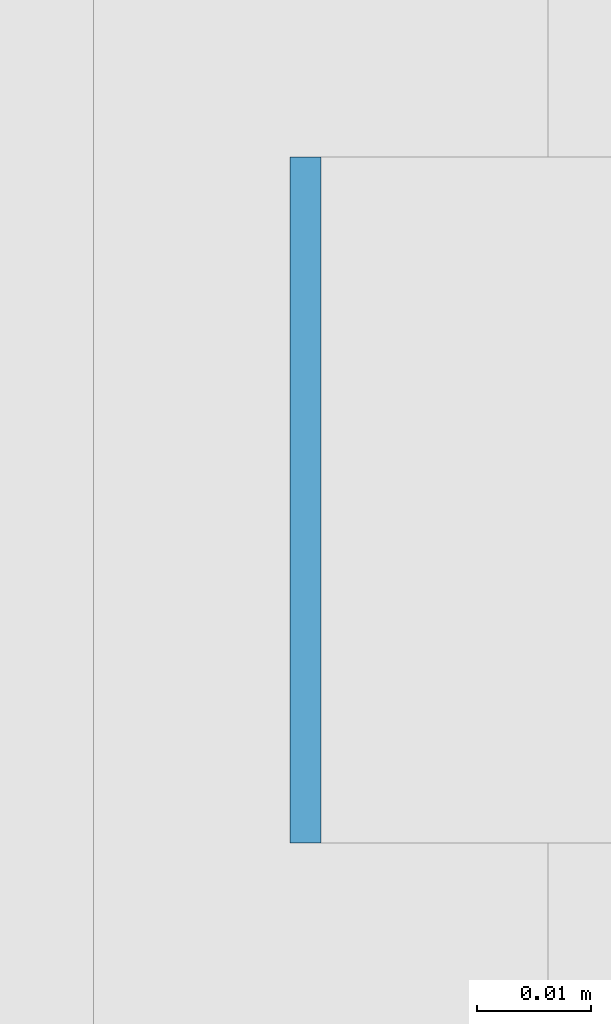
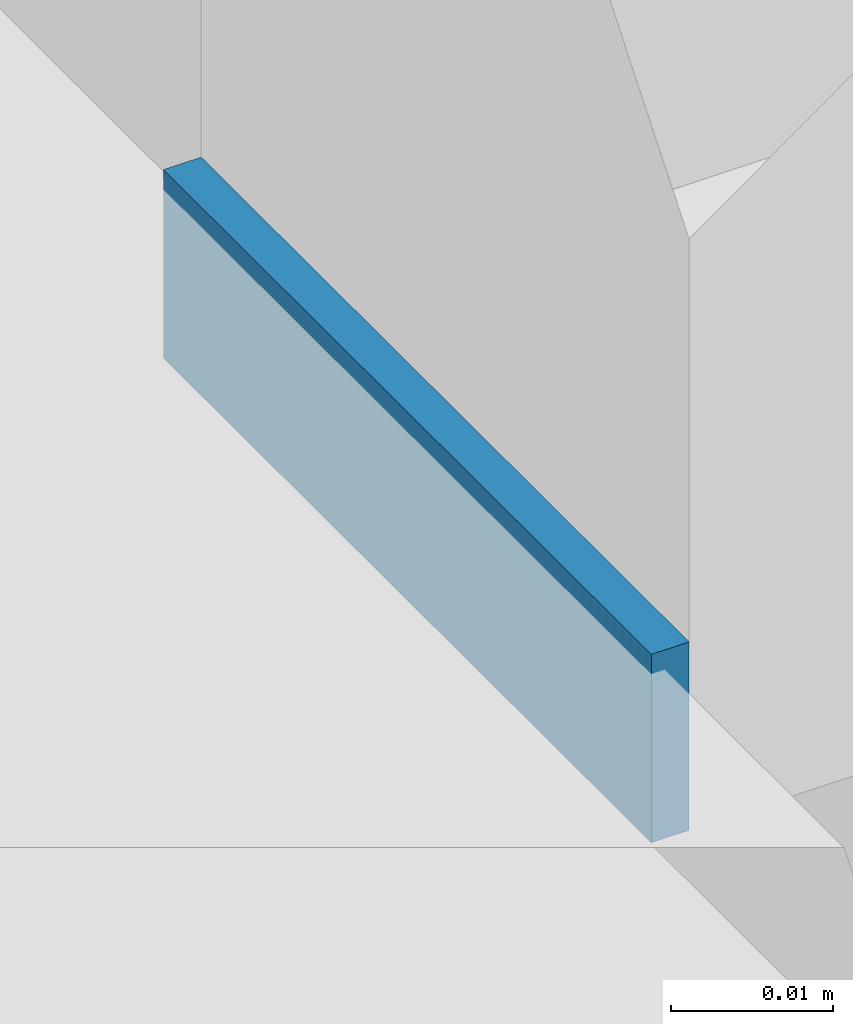
# One storey, part 434 of 646: 1 discrete accessory.
"""IFC4 building model written with IfcOpenShell, lengths in metres."""

import ifcopenshell
import ifcopenshell.guid

model = None  # the IFC model being written
_history = None  # IfcOwnerHistory: only IFC2X3 demands one
_inside = {}  # id of a spatial element -> (the spatial element, [elements in it])
_under = {}  # id of a project, library or spatial element -> (it, [spatial elements below it])
_declared = {}  # id of a project -> (the project, [libraries it declares])
_typed = {}  # id of a type object -> (the type object, [elements of that type])
_made_of = {}  # id of a material, layer set ... -> (it, [elements and type objects made of it])


def new_model(schema):
    """Start an empty IFC model of exactly this schema.

    Asked for "IFC4X3", IfcOpenShell would pick the latest addendum, in which some entities
    have other attributes; the version numbers below select the first issue.
    IFC2X3 requires an IfcOwnerHistory on every rooted entity: one is made here for all.
    """
    global model, _history
    if schema == "IFC4X3":
        model = ifcopenshell.file(schema_version=(4, 3, 0, 0))
    else:
        model = ifcopenshell.file(schema=schema)
    _inside.clear()
    _under.clear()
    _declared.clear()
    _typed.clear()
    _made_of.clear()
    _history = None
    if model.schema == "IFC2X3":
        org = make("IfcOrganization", Name="unknown")
        user = make(
            "IfcPersonAndOrganization",
            ThePerson=make("IfcPerson", FamilyName="unknown"),
            TheOrganization=org,
        )
        app = make(
            "IfcApplication",
            ApplicationDeveloper=org,
            Version="unknown",
            ApplicationFullName="unknown",
            ApplicationIdentifier="unknown",
        )
        _history = make(
            "IfcOwnerHistory",
            OwningUser=user,
            OwningApplication=app,
            ChangeAction="ADDED",
            CreationDate=0,
        )
    return model


def make(cls, **values):
    """One entity of the class cls with the attributes given. An attribute that is None is left unset."""
    return model.create_entity(
        cls, **{name: value for name, value in values.items() if value is not None}
    )


def rooted(cls, **values):
    """An entity with a GlobalId (a new one), such as an element, a storey or a relation."""
    return make(cls, GlobalId=ifcopenshell.guid.new(), OwnerHistory=_history, **values)


def si_unit(unit_type, name, prefix=None):
    """IfcSIUnit, for example si_unit("LENGTHUNIT", "METRE", prefix="MILLI")."""
    return make("IfcSIUnit", UnitType=unit_type, Prefix=prefix, Name=name)


def assignment(units):
    """IfcUnitAssignment: the units of a project."""
    return None if units is None else make("IfcUnitAssignment", Units=units)


def point(xyz):
    """IfcCartesianPoint."""
    return None if xyz is None else make("IfcCartesianPoint", Coordinates=xyz)


def direction(xyz):
    """IfcDirection."""
    return None if xyz is None else make("IfcDirection", DirectionRatios=xyz)


def frame(location, z_axis=None, x_axis=None):
    """IfcAxis2Placement3D, a coordinate frame: its origin and axes. An axis left out is left unset."""
    return make(
        "IfcAxis2Placement3D",
        Location=point(location),
        Axis=direction(z_axis),
        RefDirection=direction(x_axis),
    )


def frame_2d(location, x_axis=None):
    """IfcAxis2Placement2D, a coordinate frame in the plane: its origin and x axis."""
    return make(
        "IfcAxis2Placement2D", Location=point(location), RefDirection=direction(x_axis)
    )


def origin():
    """The frame at (0, 0, 0) with its axes left unset."""
    return frame((0.0, 0.0, 0.0))


def origin_2d():
    """The frame at (0, 0) in the plane with its x axis left unset."""
    return frame_2d((0.0, 0.0))


def place(relative_to, where):
    """IfcLocalPlacement: puts the frame where relative to a parent placement (None: the world)."""
    return make(
        "IfcLocalPlacement", PlacementRelTo=relative_to, RelativePlacement=where
    )


def context(
    kind, dimensions, precision=None, world=None, true_north=None, identifier=None
):
    """IfcGeometricRepresentationContext, for example the 3D "Model" context."""
    return make(
        "IfcGeometricRepresentationContext",
        ContextIdentifier=identifier,
        ContextType=kind,
        CoordinateSpaceDimension=dimensions,
        Precision=precision,
        WorldCoordinateSystem=world,
        TrueNorth=true_north,
    )


def subcontext(parent, identifier, kind, view, scale=None):
    """IfcGeometricRepresentationSubContext, for example "Body" below "Model"."""
    return make(
        "IfcGeometricRepresentationSubContext",
        ContextIdentifier=identifier,
        ContextType=kind,
        ParentContext=parent,
        TargetScale=scale,
        TargetView=view,
    )


def project(units=None, contexts=None):
    """IfcProject with its units and contexts."""
    return rooted(
        "IfcProject",
        Name="project",
        RepresentationContexts=contexts,
        UnitsInContext=assignment(units),
    )


def spatial(cls, under=None, at=None, **own):
    """A site, building, storey or space (cls), placed at a placement, below another one or the project."""
    s = rooted(cls, ObjectPlacement=at, **own)
    if under is not None:
        _under.setdefault(under.id(), (under, []))[1].append(s)
    return s


def profile(cls, at=None, kind="AREA", **sizes):
    """A parametric profile (cls). Its sizes go by their IFC names, for example OverallWidth=200.0."""
    return make(cls, ProfileType=kind, Position=at, **sizes)


def rectangle(**sizes):
    """IfcRectangleProfileDef."""
    return profile("IfcRectangleProfileDef", **sizes)


def extrude(swept, where, along, depth):
    """IfcExtrudedAreaSolid: the profile swept, set in the frame where, extruded along a direction by depth."""
    return make(
        "IfcExtrudedAreaSolid",
        SweptArea=swept,
        Position=where,
        ExtrudedDirection=direction(along),
        Depth=depth,
    )


def shape(context_of_items, identifier, shape_type, items):
    """IfcShapeRepresentation: the items that make up one representation, for example the "Body"."""
    return make(
        "IfcShapeRepresentation",
        ContextOfItems=context_of_items,
        RepresentationIdentifier=identifier,
        RepresentationType=shape_type,
        Items=items,
    )


def material(Name=None, Category=None):
    """IfcMaterial."""
    return make("IfcMaterial", Name=Name, Category=Category)


def made_of(thing, what):
    """Note that an element or type object is made of a material, layer set ...; save() writes the relation."""
    if what is not None:
        _made_of.setdefault(what.id(), (what, []))[1].append(thing)
    return thing


def type_object(cls, material=None, **own):
    """A type object (cls), such as IfcWallType, which elements share."""
    return made_of(rooted(cls, **own), material)


def element(
    cls,
    number,
    at=None,
    inside=None,
    cuts=None,
    type_object=None,
    material=None,
    context=None,
    identifier="Body",
    shape_type=None,
    held_by="IfcProductDefinitionShape",
    body=None,
    shapes=None,
    **own,
):
    """One element of the class cls, such as IfcWall. Its Tag is "e" and its number.

    at: its placement. inside: the storey or other place that contains it. cuts: it is an
    opening in that element (IfcRelVoidsElement). A single representation is given by context,
    identifier, shape_type and body (its items); several are given by shapes. held_by: the class
    of the entity that holds the representations. save() writes the other relations.
    """
    e = rooted(cls, Tag="e%d" % number, ObjectPlacement=at, **own)
    if body is not None:
        shapes = [shape(context, identifier, shape_type, body)]
    if shapes is not None:
        e.Representation = make(held_by, Representations=shapes)
    if inside is not None:
        _inside.setdefault(inside.id(), (inside, []))[1].append(e)
    if cuts is not None:
        rooted(
            "IfcRelVoidsElement", RelatingBuildingElement=cuts, RelatedOpeningElement=e
        )
    if type_object is not None:
        _typed.setdefault(type_object.id(), (type_object, []))[1].append(e)
    return made_of(e, material)


def aggregate(whole, parts):
    """IfcRelAggregates: a whole, such as a stair, and the parts it consists of."""
    return rooted("IfcRelAggregates", RelatingObject=whole, RelatedObjects=parts)


def save(model, path):
    """Write the relations noted so far, then the file.

    IfcRelAggregates (storeys below a building ...), IfcRelContainedInSpatialStructure (elements
    in a storey), IfcRelDefinesByType, IfcRelAssociatesMaterial and IfcRelDeclares: one each for
    every whole, place, type object, material and project.
    """
    for whole, parts in _under.values():
        aggregate(whole, parts)
    for where, things in _inside.values():
        rooted(
            "IfcRelContainedInSpatialStructure",
            RelatedElements=things,
            RelatingStructure=where,
        )
    for kind, things in _typed.values():
        rooted("IfcRelDefinesByType", RelatedObjects=things, RelatingType=kind)
    for what, things in _made_of.values():
        rooted("IfcRelAssociatesMaterial", RelatedObjects=things, RelatingMaterial=what)
    for by, libraries in _declared.values():
        rooted("IfcRelDeclares", RelatingContext=by, RelatedDefinitions=libraries)
    model.write(path)


model = new_model("IFC4")

# Units and contexts
model_context = context("Model", 3, precision=1e-05, world=origin(), true_north=direction((0.0, 1.0)))
body_context = subcontext(model_context, "Body", "Model", "MODEL_VIEW")
ifc_project = project(units=[si_unit("LENGTHUNIT", "METRE"), si_unit("AREAUNIT", "SQUARE_METRE"), si_unit("VOLUMEUNIT", "CUBIC_METRE"), si_unit("PLANEANGLEUNIT", "RADIAN"), si_unit("MASSUNIT", "GRAM", prefix="KILO")], contexts=[model_context])

# Site, building, storey
site_placement = place(None, origin())
site = spatial("IfcSite", under=ifc_project, at=site_placement, CompositionType="ELEMENT")
building_placement = place(site_placement, origin())
building = spatial("IfcBuilding", under=site, at=building_placement, Name="Silverbay Arena", CompositionType="ELEMENT")
storey_placement = place(building_placement, frame((0.0, 0.0, 33.5)))
storey = spatial("IfcBuildingStorey", under=building, at=storey_placement, Name="L05", CompositionType="ELEMENT", Elevation=33.5)

# Discrete accessory
ifc_material = material(Name="Steel S355", Category="steel")
discrete_accessory_type = type_object("IfcDiscreteAccessoryType", Name="Steel bracket plate", PredefinedType="BRACKET", material=ifc_material)
discrete_accessory_placement = place(storey_placement, frame((207.128662109375, 28.833251953125, 4.0), z_axis=(0.0, 0.0, 1.0), x_axis=(1.0, 0.0, 0.0)))
element("IfcDiscreteAccessory", 1, at=discrete_accessory_placement, inside=storey, type_object=discrete_accessory_type, Name="Curtain wall packing plate", PredefinedType="BRACKET", context=body_context, shape_type="SweptSolid", body=[
    extrude(rectangle(XDim=0.002685546875, YDim=0.06005859375, at=origin_2d()), origin(), (0.0, 0.0, 1.0), 0.01416015625),
])

save(model, "model.ifc")
